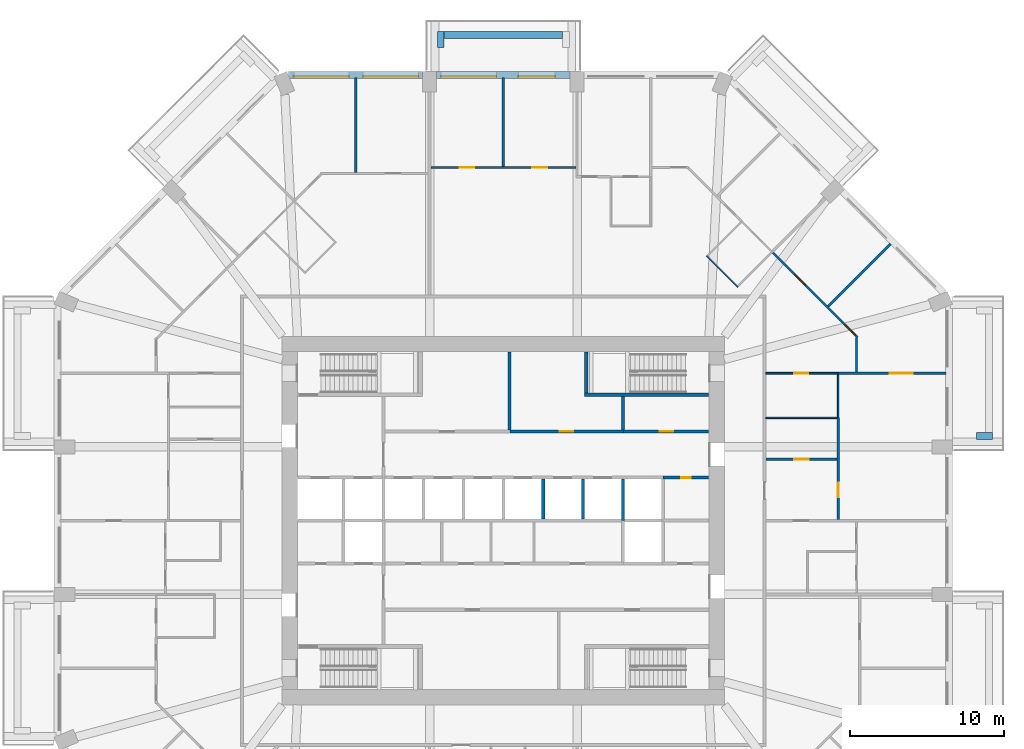
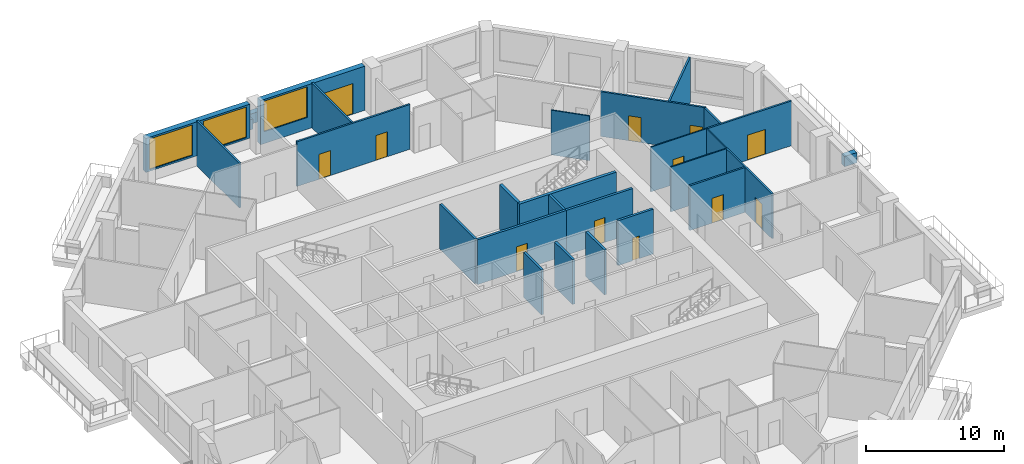
# One storey, part 9 of 13: 28 walls, 12 doors, 3 windows, 15 openings.
"""IFC4 building model written with IfcOpenShell, lengths in metres."""

import ifcopenshell
import ifcopenshell.guid

model = None  # the IFC model being written
_history = None  # IfcOwnerHistory: only IFC2X3 demands one
_inside = {}  # id of a spatial element -> (the spatial element, [elements in it])
_under = {}  # id of a project, library or spatial element -> (it, [spatial elements below it])
_declared = {}  # id of a project -> (the project, [libraries it declares])
_typed = {}  # id of a type object -> (the type object, [elements of that type])
_made_of = {}  # id of a material, layer set ... -> (it, [elements and type objects made of it])


def new_model(schema):
    """Start an empty IFC model of exactly this schema.

    Asked for "IFC4X3", IfcOpenShell would pick the latest addendum, in which some entities
    have other attributes; the version numbers below select the first issue.
    IFC2X3 requires an IfcOwnerHistory on every rooted entity: one is made here for all.
    """
    global model, _history
    if schema == "IFC4X3":
        model = ifcopenshell.file(schema_version=(4, 3, 0, 0))
    else:
        model = ifcopenshell.file(schema=schema)
    _inside.clear()
    _under.clear()
    _declared.clear()
    _typed.clear()
    _made_of.clear()
    _history = None
    if model.schema == "IFC2X3":
        org = make("IfcOrganization", Name="unknown")
        user = make(
            "IfcPersonAndOrganization",
            ThePerson=make("IfcPerson", FamilyName="unknown"),
            TheOrganization=org,
        )
        app = make(
            "IfcApplication",
            ApplicationDeveloper=org,
            Version="unknown",
            ApplicationFullName="unknown",
            ApplicationIdentifier="unknown",
        )
        _history = make(
            "IfcOwnerHistory",
            OwningUser=user,
            OwningApplication=app,
            ChangeAction="ADDED",
            CreationDate=0,
        )
    return model


def make(cls, **values):
    """One entity of the class cls with the attributes given. An attribute that is None is left unset."""
    return model.create_entity(
        cls, **{name: value for name, value in values.items() if value is not None}
    )


def rooted(cls, **values):
    """An entity with a GlobalId (a new one), such as an element, a storey or a relation."""
    return make(cls, GlobalId=ifcopenshell.guid.new(), OwnerHistory=_history, **values)


def si_unit(unit_type, name, prefix=None):
    """IfcSIUnit, for example si_unit("LENGTHUNIT", "METRE", prefix="MILLI")."""
    return make("IfcSIUnit", UnitType=unit_type, Prefix=prefix, Name=name)


def assignment(units):
    """IfcUnitAssignment: the units of a project."""
    return None if units is None else make("IfcUnitAssignment", Units=units)


def point(xyz):
    """IfcCartesianPoint."""
    return None if xyz is None else make("IfcCartesianPoint", Coordinates=xyz)


def direction(xyz):
    """IfcDirection."""
    return None if xyz is None else make("IfcDirection", DirectionRatios=xyz)


def frame(location, z_axis=None, x_axis=None):
    """IfcAxis2Placement3D, a coordinate frame: its origin and axes. An axis left out is left unset."""
    return make(
        "IfcAxis2Placement3D",
        Location=point(location),
        Axis=direction(z_axis),
        RefDirection=direction(x_axis),
    )


def frame_2d(location, x_axis=None):
    """IfcAxis2Placement2D, a coordinate frame in the plane: its origin and x axis."""
    return make(
        "IfcAxis2Placement2D", Location=point(location), RefDirection=direction(x_axis)
    )


def origin():
    """The frame at (0, 0, 0) with its axes left unset."""
    return frame((0.0, 0.0, 0.0))


def place(relative_to, where):
    """IfcLocalPlacement: puts the frame where relative to a parent placement (None: the world)."""
    return make(
        "IfcLocalPlacement", PlacementRelTo=relative_to, RelativePlacement=where
    )


def context(
    kind, dimensions, precision=None, world=None, true_north=None, identifier=None
):
    """IfcGeometricRepresentationContext, for example the 3D "Model" context."""
    return make(
        "IfcGeometricRepresentationContext",
        ContextIdentifier=identifier,
        ContextType=kind,
        CoordinateSpaceDimension=dimensions,
        Precision=precision,
        WorldCoordinateSystem=world,
        TrueNorth=true_north,
    )


def subcontext(parent, identifier, kind, view, scale=None):
    """IfcGeometricRepresentationSubContext, for example "Body" below "Model"."""
    return make(
        "IfcGeometricRepresentationSubContext",
        ContextIdentifier=identifier,
        ContextType=kind,
        ParentContext=parent,
        TargetScale=scale,
        TargetView=view,
    )


def project(units=None, contexts=None):
    """IfcProject with its units and contexts."""
    return rooted(
        "IfcProject",
        Name="project",
        RepresentationContexts=contexts,
        UnitsInContext=assignment(units),
    )


def spatial(cls, under=None, at=None, **own):
    """A site, building, storey or space (cls), placed at a placement, below another one or the project."""
    s = rooted(cls, ObjectPlacement=at, **own)
    if under is not None:
        _under.setdefault(under.id(), (under, []))[1].append(s)
    return s


def profile(cls, at=None, kind="AREA", **sizes):
    """A parametric profile (cls). Its sizes go by their IFC names, for example OverallWidth=200.0."""
    return make(cls, ProfileType=kind, Position=at, **sizes)


def rectangle(**sizes):
    """IfcRectangleProfileDef."""
    return profile("IfcRectangleProfileDef", **sizes)


def extrude(swept, where, along, depth):
    """IfcExtrudedAreaSolid: the profile swept, set in the frame where, extruded along a direction by depth."""
    return make(
        "IfcExtrudedAreaSolid",
        SweptArea=swept,
        Position=where,
        ExtrudedDirection=direction(along),
        Depth=depth,
    )


def shape(context_of_items, identifier, shape_type, items):
    """IfcShapeRepresentation: the items that make up one representation, for example the "Body"."""
    return make(
        "IfcShapeRepresentation",
        ContextOfItems=context_of_items,
        RepresentationIdentifier=identifier,
        RepresentationType=shape_type,
        Items=items,
    )


def material(Name=None, Category=None):
    """IfcMaterial."""
    return make("IfcMaterial", Name=Name, Category=Category)


def layer(
    of_material, thickness, ventilated=None, Name=None, Category=None, Priority=None
):
    """IfcMaterialLayer: one layer of a wall or slab, of a material (None: an air gap)."""
    return make(
        "IfcMaterialLayer",
        Material=of_material,
        LayerThickness=thickness,
        IsVentilated=ventilated,
        Name=Name,
        Category=Category,
        Priority=Priority,
    )


def layer_set(layers, Name=None):
    """IfcMaterialLayerSet."""
    return make("IfcMaterialLayerSet", MaterialLayers=layers, LayerSetName=Name)


def made_of(thing, what):
    """Note that an element or type object is made of a material, layer set ...; save() writes the relation."""
    if what is not None:
        _made_of.setdefault(what.id(), (what, []))[1].append(thing)
    return thing


def type_object(cls, material=None, **own):
    """A type object (cls), such as IfcWallType, which elements share."""
    return made_of(rooted(cls, **own), material)


def element(
    cls,
    number,
    at=None,
    inside=None,
    cuts=None,
    type_object=None,
    material=None,
    context=None,
    identifier="Body",
    shape_type=None,
    held_by="IfcProductDefinitionShape",
    body=None,
    shapes=None,
    **own,
):
    """One element of the class cls, such as IfcWall. Its Tag is "e" and its number.

    at: its placement. inside: the storey or other place that contains it. cuts: it is an
    opening in that element (IfcRelVoidsElement). A single representation is given by context,
    identifier, shape_type and body (its items); several are given by shapes. held_by: the class
    of the entity that holds the representations. save() writes the other relations.
    """
    e = rooted(cls, Tag="e%d" % number, ObjectPlacement=at, **own)
    if body is not None:
        shapes = [shape(context, identifier, shape_type, body)]
    if shapes is not None:
        e.Representation = make(held_by, Representations=shapes)
    if inside is not None:
        _inside.setdefault(inside.id(), (inside, []))[1].append(e)
    if cuts is not None:
        rooted(
            "IfcRelVoidsElement", RelatingBuildingElement=cuts, RelatedOpeningElement=e
        )
    if type_object is not None:
        _typed.setdefault(type_object.id(), (type_object, []))[1].append(e)
    return made_of(e, material)


def fill(opening, filler):
    """IfcRelFillsElement: the door or window that sits in an opening."""
    return rooted(
        "IfcRelFillsElement",
        RelatingOpeningElement=opening,
        RelatedBuildingElement=filler,
    )


def aggregate(whole, parts):
    """IfcRelAggregates: a whole, such as a stair, and the parts it consists of."""
    return rooted("IfcRelAggregates", RelatingObject=whole, RelatedObjects=parts)


def save(model, path):
    """Write the relations noted so far, then the file.

    IfcRelAggregates (storeys below a building ...), IfcRelContainedInSpatialStructure (elements
    in a storey), IfcRelDefinesByType, IfcRelAssociatesMaterial and IfcRelDeclares: one each for
    every whole, place, type object, material and project.
    """
    for whole, parts in _under.values():
        aggregate(whole, parts)
    for where, things in _inside.values():
        rooted(
            "IfcRelContainedInSpatialStructure",
            RelatedElements=things,
            RelatingStructure=where,
        )
    for kind, things in _typed.values():
        rooted("IfcRelDefinesByType", RelatedObjects=things, RelatingType=kind)
    for what, things in _made_of.values():
        rooted("IfcRelAssociatesMaterial", RelatedObjects=things, RelatingMaterial=what)
    for by, libraries in _declared.values():
        rooted("IfcRelDeclares", RelatingContext=by, RelatedDefinitions=libraries)
    model.write(path)


model = new_model("IFC4")

# Units and contexts
model_context = context("Model", 3, precision=1e-05, world=origin(), true_north=direction((0.0, 1.0)))
body_context = subcontext(model_context, "Body", "Model", "MODEL_VIEW")
ifc_project = project(units=[si_unit("LENGTHUNIT", "METRE"), si_unit("AREAUNIT", "SQUARE_METRE"), si_unit("VOLUMEUNIT", "CUBIC_METRE"), si_unit("PLANEANGLEUNIT", "RADIAN"), si_unit("MASSUNIT", "GRAM", prefix="KILO")], contexts=[model_context])

# Site, building, storey
site_placement = place(None, origin())
site = spatial("IfcSite", under=ifc_project, at=site_placement, CompositionType="ELEMENT")
building_placement = place(site_placement, origin())
building = spatial("IfcBuilding", under=site, at=building_placement, Name="Msitu Wima Residences", CompositionType="ELEMENT")
storey_placement = place(building_placement, frame((0.0, 0.0, 63.300048828125)))
storey = spatial("IfcBuildingStorey", under=building, at=storey_placement, Name="L14", CompositionType="ELEMENT", Elevation=63.300048828125)

# Walls
ifc_material_1 = material(Name="Facing brick")
ifc_layer_1 = layer(ifc_material_1, 0.06494140625, Name="Facing brick")
ifc_material_2 = material(Name="Concrete C40/50", Category="concrete")
ifc_layer_2 = layer(ifc_material_2, 0.156005859375, Name="Concrete C40/50")
ifc_material_3 = material(Name="Waterproofing membrane")
ifc_layer_3 = layer(ifc_material_3, 0.00390625, Name="Waterproofing membrane")
ifc_material_4 = material(Name="Planting soil and planting")
ifc_layer_4 = layer(ifc_material_4, 0.22509765625, Name="Planting soil and planting")
ifc_layer_set_1 = layer_set([ifc_layer_1, ifc_layer_2, ifc_layer_3, ifc_layer_4], Name="Concrete C40/50")
wall_type_1 = type_object("IfcWallType", Name="Balcony planter PLANTER PL450", PredefinedType="USERDEFINED", material=ifc_layer_set_1)
wall_1_placement = place(storey_placement, frame((30.800048828125, 5.52490234375, 0.0), z_axis=(0.0, 0.0, 1.0), x_axis=(1.0, 0.0, 0.0)))
element("IfcWall", 1, at=wall_1_placement, inside=storey, type_object=wall_type_1, Name="Balcony planter E2 L14", ObjectType="PLANTER", PredefinedType="USERDEFINED", context=body_context, shape_type="SweptSolid", body=[
    extrude(rectangle(XDim=1.050048828125, YDim=0.449951171875, at=frame_2d((0.52490234375, 0.0))), origin(), (0.0, 0.0, 1.0), 0.89990234375),
])
wall_2_placement = place(storey_placement, frame((3.85009765625, 31.625, 0.0), z_axis=(0.0, 0.0, 1.0), x_axis=(-1.0, 0.0, 0.0)))
element("IfcWall", 2, at=wall_2_placement, inside=storey, type_object=wall_type_1, Name="Balcony planter N1 L14", ObjectType="PLANTER", PredefinedType="USERDEFINED", context=body_context, shape_type="SweptSolid", body=[
    extrude(rectangle(XDim=7.7001953125, YDim=0.449951171875, at=frame_2d((3.85009765625, 0.0))), origin(), (0.0, 0.0, 1.0), 0.89990234375),
])
wall_3_placement = place(storey_placement, frame((-4.074951171875, 30.800048828125, 0.0), z_axis=(0.0, 0.0, 1.0), x_axis=(0.0, 1.0, 0.0)))
element("IfcWall", 3, at=wall_3_placement, inside=storey, type_object=wall_type_1, Name="Balcony planter N1 L14", ObjectType="PLANTER", PredefinedType="USERDEFINED", context=body_context, shape_type="SweptSolid", body=[
    extrude(rectangle(XDim=1.050048828125, YDim=0.449951171875, at=frame_2d((0.52490234375, 0.0))), origin(), (0.0, 0.0, 1.0), 0.89990234375),
])

# Wall, openings, door, window
ifc_material_5 = material(Name="Brick (red buff mix)", Category="masonry")
ifc_layer_5 = layer(ifc_material_5, 0.449951171875)
ifc_layer_set_2 = layer_set([ifc_layer_5], Name="Brick (red buff mix)")
wall_type_2 = type_object("IfcWallType", Name="Brick infill wall BW450", PredefinedType="SOLIDWALL", material=ifc_layer_set_2)
wall_4_placement = place(storey_placement, frame((4.35009765625, 29.02490234375, 0.0), z_axis=(0.0, 0.0, 1.0), x_axis=(-1.0, 0.0, 0.0)))
wall_4 = element("IfcWall", 4, at=wall_4_placement, inside=storey, type_object=wall_type_2, Name="Brick infill wall L14 N1", PredefinedType="SOLIDWALL", context=body_context, shape_type="SweptSolid", body=[
    extrude(rectangle(XDim=8.7001953125, YDim=0.449951171875, at=frame_2d((4.35009765625, 0.0))), origin(), (0.0, 0.0, 1.0), 3.89990234375),
])
opening_1_placement = place(wall_4_placement, frame((0.97509765625, 0.0, 0.0)))
opening_1 = element("IfcOpeningElement", 5, at=opening_1_placement, cuts=wall_4, Name="Opening D13-15.003", PredefinedType="OPENING", context=body_context, shape_type="SweptSolid", body=[
    extrude(rectangle(XDim=2.39990234375, YDim=2.699951171875, at=frame_2d((1.199951171875, 1.35009765625))), frame((0.0, 0.23486328125, 0.0), z_axis=(0.0, -1.0, 0.0), x_axis=(1.0, 0.0, 0.0)), (0.0, 0.0, 1.0), 0.469970703125),
])
opening_2_placement = place(wall_4_placement, frame((4.800048828125, 0.0, 1.050048828125)))
opening_2 = element("IfcOpeningElement", 6, at=opening_2_placement, cuts=wall_4, Name="Opening W13-15.007", PredefinedType="OPENING", context=body_context, shape_type="SweptSolid", body=[
    extrude(rectangle(XDim=3.60009765625, YDim=2.699951171875, at=frame_2d((1.800048828125, 1.35009765625))), frame((0.0, 0.23486328125, 0.0), z_axis=(0.0, -1.0, 0.0), x_axis=(1.0, 0.0, 0.0)), (0.0, 0.0, 1.0), 0.469970703125),
])
ifc_material_6 = material(Name="Anodised aluminium, bronze finish, clear low-emissivity double glazing", Category="aluminium")
door_type_1 = type_object("IfcDoorType", Name="Balcony door D2400x2700", OperationType="SLIDING_TO_LEFT", PredefinedType="DOOR", material=ifc_material_6)
door_1_placement = place(opening_1_placement, origin())
door_1 = element("IfcDoor", 7, at=door_1_placement, inside=storey, type_object=door_type_1, Name="Balcony door L14 N1", OperationType="SINGLE_SWING_LEFT", OverallHeight=2.699951171875, OverallWidth=2.39990234375, PredefinedType="DOOR", context=body_context, shape_type="SweptSolid", body=[
    extrude(rectangle(XDim=2.39990234375, YDim=2.699951171875, at=frame_2d((1.199951171875, 1.35009765625))), frame((0.0, 0.1298828125, 0.0), z_axis=(0.0, -1.0, 0.0), x_axis=(1.0, 0.0, 0.0)), (0.0, 0.0, 1.0), 0.050048828125),
])
fill(opening_1, door_1)
window_type = type_object("IfcWindowType", Name="Window W3600x2700", PartitioningType="DOUBLE_PANEL_VERTICAL", PredefinedType="WINDOW", material=ifc_material_6)
window_1_placement = place(opening_2_placement, origin())
window_1 = element("IfcWindow", 8, at=window_1_placement, inside=storey, type_object=window_type, Name="Window L14 N1.2", OverallHeight=2.699951171875, OverallWidth=3.60009765625, PartitioningType="SINGLE_PANEL", PredefinedType="WINDOW", context=body_context, shape_type="SweptSolid", body=[
    extrude(rectangle(XDim=3.60009765625, YDim=2.699951171875, at=frame_2d((1.800048828125, 1.35009765625))), frame((0.0, 0.135009765625, 0.0), z_axis=(0.0, -1.0, 0.0), x_axis=(1.0, 0.0, 0.0)), (0.0, 0.0, 1.0), 0.06005859375),
])
fill(opening_2, window_1)

# Wall, openings, windows
wall_5_placement = place(storey_placement, frame((-5.25, 29.02490234375, 0.89990234375), z_axis=(0.0, 0.0, 1.0), x_axis=(-1.0, 0.0, 0.0)))
wall_5 = element("IfcWall", 9, at=wall_5_placement, inside=storey, type_object=wall_type_2, Name="Brick infill wall L14 N2", PredefinedType="SOLIDWALL", context=body_context, shape_type="SweptSolid", body=[
    extrude(rectangle(XDim=8.662841796875, YDim=0.449951171875, at=frame_2d((4.33154296875, 0.0))), origin(), (0.0, 0.0, 1.0), 3.0),
])
opening_3_placement = place(wall_5_placement, frame((0.281494140625, 0.0, 0.14990234375)))
opening_3 = element("IfcOpeningElement", 10, at=opening_3_placement, cuts=wall_5, Name="Opening W13-15.008", PredefinedType="OPENING", context=body_context, shape_type="SweptSolid", body=[
    extrude(rectangle(XDim=3.60009765625, YDim=2.699951171875, at=frame_2d((1.800048828125, 1.35009765625))), frame((0.0, 0.23486328125, 0.0), z_axis=(0.0, -1.0, 0.0), x_axis=(1.0, 0.0, 0.0)), (0.0, 0.0, 1.0), 0.469970703125),
])
opening_4_placement = place(wall_5_placement, frame((4.781494140625, 0.0, 0.14990234375)))
opening_4 = element("IfcOpeningElement", 11, at=opening_4_placement, cuts=wall_5, Name="Opening W13-15.009", PredefinedType="OPENING", context=body_context, shape_type="SweptSolid", body=[
    extrude(rectangle(XDim=3.60009765625, YDim=2.699951171875, at=frame_2d((1.800048828125, 1.35009765625))), frame((0.0, 0.23486328125, 0.0), z_axis=(0.0, -1.0, 0.0), x_axis=(1.0, 0.0, 0.0)), (0.0, 0.0, 1.0), 0.469970703125),
])
window_2_placement = place(opening_3_placement, origin())
window_2 = element("IfcWindow", 12, at=window_2_placement, inside=storey, type_object=window_type, Name="Window L14 N2.1", OverallHeight=2.699951171875, OverallWidth=3.60009765625, PartitioningType="SINGLE_PANEL", PredefinedType="WINDOW", context=body_context, shape_type="SweptSolid", body=[
    extrude(rectangle(XDim=3.60009765625, YDim=2.699951171875, at=frame_2d((1.800048828125, 1.35009765625))), frame((0.0, 0.135009765625, 0.0), z_axis=(0.0, -1.0, 0.0), x_axis=(1.0, 0.0, 0.0)), (0.0, 0.0, 1.0), 0.06005859375),
])
fill(opening_3, window_2)
window_3_placement = place(opening_4_placement, origin())
window_3 = element("IfcWindow", 13, at=window_3_placement, inside=storey, type_object=window_type, Name="Window L14 N2.2", OverallHeight=2.699951171875, OverallWidth=3.60009765625, PartitioningType="SINGLE_PANEL", PredefinedType="WINDOW", context=body_context, shape_type="SweptSolid", body=[
    extrude(rectangle(XDim=3.60009765625, YDim=2.699951171875, at=frame_2d((1.800048828125, 1.35009765625))), frame((0.0, 0.135009765625, 0.0), z_axis=(0.0, -1.0, 0.0), x_axis=(1.0, 0.0, 0.0)), (0.0, 0.0, 1.0), 0.06005859375),
])
fill(opening_4, window_3)

# Wall, opening, door
ifc_material_7 = material(Name="Plaster")
ifc_layer_6 = layer(ifc_material_7, 0.011962890625, Name="Plaster")
ifc_material_8 = material(Name="Concrete blockwork", Category="masonry")
ifc_layer_7 = layer(ifc_material_8, 0.176025390625, Name="Concrete blockwork")
ifc_layer_8 = layer(ifc_material_7, 0.011962890625, Name="Plaster")
ifc_layer_set_3 = layer_set([ifc_layer_6, ifc_layer_7, ifc_layer_8], Name="Concrete blockwork")
wall_type_3 = type_object("IfcWallType", Name="Corridor wall FW200", PredefinedType="PARTITIONING", material=ifc_layer_set_3)
wall_6_placement = place(storey_placement, frame((7.820068359375, 5.800048828125, 0.0), z_axis=(0.0, 0.0, 1.0), x_axis=(1.0, 0.0, 0.0)))
wall_6 = element("IfcWall", 14, at=wall_6_placement, inside=storey, type_object=wall_type_3, Name="Corridor wall", PredefinedType="PARTITIONING", context=body_context, shape_type="SweptSolid", body=[
    extrude(rectangle(XDim=5.550048828125, YDim=0.199951171875, at=frame_2d((2.77490234375, 0.0))), origin(), (0.0, 0.0, 1.0), 3.949951171875),
])
opening_5_placement = place(wall_6_placement, frame((2.35009765625, 0.0, 0.0)))
opening_5 = element("IfcOpeningElement", 15, at=opening_5_placement, cuts=wall_6, Name="Opening D13-15.021", PredefinedType="OPENING", context=body_context, shape_type="SweptSolid", body=[
    extrude(rectangle(XDim=0.89990234375, YDim=2.199951171875, at=frame_2d((0.449951171875, 1.10009765625))), frame((0.0, 0.10986328125, 0.0), z_axis=(0.0, -1.0, 0.0), x_axis=(1.0, 0.0, 0.0)), (0.0, 0.0, 1.0), 0.219970703125),
])
ifc_material_9 = material(Name="Timber flush door", Category="wood")
door_type_2 = type_object("IfcDoorType", Name="Service door D05 900x2200", OperationType="SINGLE_SWING_LEFT", PredefinedType="DOOR", material=ifc_material_9)
door_2_placement = place(opening_5_placement, origin())
door_2 = element("IfcDoor", 16, at=door_2_placement, inside=storey, type_object=door_type_2, Name="Service door", OperationType="SINGLE_SWING_LEFT", OverallHeight=2.199951171875, OverallWidth=0.89990234375, PredefinedType="DOOR", context=body_context, shape_type="SweptSolid", body=[
    extrude(rectangle(XDim=0.89990234375, YDim=2.199951171875, at=frame_2d((0.449951171875, 1.10009765625))), frame((0.0, 0.02490234375, 0.0), z_axis=(0.0, -1.0, 0.0), x_axis=(1.0, 0.0, 0.0)), (0.0, 0.0, 1.0), 0.050048828125),
])
fill(opening_5, door_2)

# Wall
ifc_layer_9 = layer(ifc_material_7, 0.011962890625, Name="Plaster")
ifc_layer_10 = layer(ifc_material_8, 0.1259765625, Name="Concrete blockwork")
ifc_layer_11 = layer(ifc_material_7, 0.011962890625, Name="Plaster")
ifc_layer_set_4 = layer_set([ifc_layer_9, ifc_layer_10, ifc_layer_11], Name="Concrete blockwork")
wall_type_4 = type_object("IfcWallType", Name="Partition PW150", PredefinedType="PARTITIONING", material=ifc_layer_set_4)
wall_7_placement = place(storey_placement, frame((-9.60009765625, 22.675048828125, 0.0), z_axis=(0.0, 0.0, 1.0), x_axis=(0.0, 1.0, 0.0)))
element("IfcWall", 17, at=wall_7_placement, inside=storey, type_object=wall_type_4, Name="Partition", PredefinedType="PARTITIONING", context=body_context, shape_type="SweptSolid", body=[
    extrude(rectangle(XDim=6.179931640625, YDim=0.14990234375, at=frame_2d((3.08984375, 0.0))), origin(), (0.0, 0.0, 1.0), 3.949951171875),
])

# Wall, openings, doors
wall_8_placement = place(storey_placement, frame((-4.699951171875, 23.0, 0.0), z_axis=(0.0, 0.0, 1.0), x_axis=(1.0, 0.0, 0.0)))
wall_8 = element("IfcWall", 18, at=wall_8_placement, inside=storey, type_object=wall_type_4, Name="Partition", PredefinedType="PARTITIONING", context=body_context, shape_type="SweptSolid", body=[
    extrude(rectangle(XDim=9.425048828125, YDim=0.14990234375, at=frame_2d((4.71240234375, 0.0))), origin(), (0.0, 0.0, 1.0), 3.949951171875),
])
opening_6_placement = place(wall_8_placement, frame((6.60009765625, 0.0, 0.0)))
opening_6 = element("IfcOpeningElement", 19, at=opening_6_placement, cuts=wall_8, Name="Opening D13-15.088", PredefinedType="OPENING", context=body_context, shape_type="SweptSolid", body=[
    extrude(rectangle(XDim=0.949951171875, YDim=2.199951171875, at=frame_2d((0.47509765625, 1.10009765625))), frame((0.0, 0.0849609375, 0.0), z_axis=(0.0, -1.0, 0.0), x_axis=(1.0, 0.0, 0.0)), (0.0, 0.0, 1.0), 0.169921875),
])
opening_7_placement = place(wall_8_placement, frame((1.85009765625, 0.0, 0.0)))
opening_7 = element("IfcOpeningElement", 20, at=opening_7_placement, cuts=wall_8, Name="Opening D13-15.044", PredefinedType="OPENING", context=body_context, shape_type="SweptSolid", body=[
    extrude(rectangle(XDim=0.949951171875, YDim=2.199951171875, at=frame_2d((0.47509765625, 1.10009765625))), frame((0.0, 0.0849609375, 0.0), z_axis=(0.0, -1.0, 0.0), x_axis=(1.0, 0.0, 0.0)), (0.0, 0.0, 1.0), 0.169921875),
])
door_type_3 = type_object("IfcDoorType", Name="Room door D12 950x2200", OperationType="SINGLE_SWING_LEFT", PredefinedType="DOOR", material=ifc_material_9)
door_3_placement = place(opening_6_placement, origin())
door_3 = element("IfcDoor", 21, at=door_3_placement, inside=storey, type_object=door_type_3, Name="Room door", OperationType="SINGLE_SWING_LEFT", OverallHeight=2.199951171875, OverallWidth=0.949951171875, PredefinedType="DOOR", context=body_context, shape_type="SweptSolid", body=[
    extrude(rectangle(XDim=0.949951171875, YDim=2.199951171875, at=frame_2d((0.47509765625, 1.10009765625))), frame((0.0, 0.02490234375, 0.0), z_axis=(0.0, -1.0, 0.0), x_axis=(1.0, 0.0, 0.0)), (0.0, 0.0, 1.0), 0.050048828125),
])
fill(opening_6, door_3)
door_4_placement = place(opening_7_placement, origin())
door_4 = element("IfcDoor", 22, at=door_4_placement, inside=storey, type_object=door_type_3, Name="Room door", OperationType="SINGLE_SWING_RIGHT", OverallHeight=2.199951171875, OverallWidth=0.949951171875, PredefinedType="DOOR", context=body_context, shape_type="SweptSolid", body=[
    extrude(rectangle(XDim=0.949951171875, YDim=2.199951171875, at=frame_2d((0.47509765625, 1.10009765625))), frame((0.0, 0.02490234375, 0.0), z_axis=(0.0, -1.0, 0.0), x_axis=(1.0, 0.0, 0.0)), (0.0, 0.0, 1.0), 0.050048828125),
])
fill(opening_7, door_4)

# Wall
wall_9_placement = place(storey_placement, frame((0.0, 23.074951171875, 0.0), z_axis=(0.0, 0.0, 1.0), x_axis=(0.0, 1.0, 0.0)))
element("IfcWall", 23, at=wall_9_placement, inside=storey, type_object=wall_type_4, Name="Partition", PredefinedType="PARTITIONING", context=body_context, shape_type="SweptSolid", body=[
    extrude(rectangle(XDim=5.780029296875, YDim=0.14990234375, at=frame_2d((2.89013671875, 0.0))), origin(), (0.0, 0.0, 1.0), 3.949951171875),
])

# Wall, opening, door
wall_10_placement = place(storey_placement, frame((17.10009765625, 4.0, 0.0), z_axis=(0.0, 0.0, 1.0), x_axis=(1.0, 0.0, 0.0)))
wall_10 = element("IfcWall", 24, at=wall_10_placement, inside=storey, type_object=wall_type_4, Name="Partition", PredefinedType="PARTITIONING", context=body_context, shape_type="SweptSolid", body=[
    extrude(rectangle(XDim=4.625, YDim=0.14990234375, at=frame_2d((2.3125, 0.0))), origin(), (0.0, 0.0, 1.0), 3.949951171875),
])
opening_8_placement = place(wall_10_placement, frame((1.85009765625, 0.0, 0.0)))
opening_8 = element("IfcOpeningElement", 25, at=opening_8_placement, cuts=wall_10, Name="Opening D13-15.085", PredefinedType="OPENING", context=body_context, shape_type="SweptSolid", body=[
    extrude(rectangle(XDim=0.949951171875, YDim=2.199951171875, at=frame_2d((0.47509765625, 1.10009765625))), frame((0.0, 0.0849609375, 0.0), z_axis=(0.0, -1.0, 0.0), x_axis=(1.0, 0.0, 0.0)), (0.0, 0.0, 1.0), 0.169921875),
])
door_5_placement = place(opening_8_placement, origin())
door_5 = element("IfcDoor", 26, at=door_5_placement, inside=storey, type_object=door_type_3, Name="Room door", OperationType="SINGLE_SWING_RIGHT", OverallHeight=2.199951171875, OverallWidth=0.949951171875, PredefinedType="DOOR", context=body_context, shape_type="SweptSolid", body=[
    extrude(rectangle(XDim=0.949951171875, YDim=2.199951171875, at=frame_2d((0.47509765625, 1.10009765625))), frame((0.0, 0.02490234375, 0.0), z_axis=(0.0, -1.0, 0.0), x_axis=(1.0, 0.0, 0.0)), (0.0, 0.0, 1.0), 0.050048828125),
])
fill(opening_8, door_5)

# Wall, openings, doors
wall_11_placement = place(storey_placement, frame((17.498779296875, 17.498779296875, 0.0), z_axis=(0.0, 0.0, 1.0), x_axis=(0.707106781187, -0.707106781187, 0.0)))
wall_11 = element("IfcWall", 27, at=wall_11_placement, inside=storey, type_object=wall_type_4, Name="Partition", PredefinedType="PARTITIONING", context=body_context, shape_type="SweptSolid", body=[
    extrude(rectangle(XDim=7.854736328125, YDim=0.14990234375, at=frame_2d((3.92724609375, 0.0))), origin(), (0.0, 0.0, 1.0), 3.949951171875),
])
opening_9_placement = place(wall_11_placement, frame((6.699951171875, 0.0, 0.0)))
opening_9 = element("IfcOpeningElement", 28, at=opening_9_placement, cuts=wall_11, Name="Opening D13-15.086", PredefinedType="OPENING", context=body_context, shape_type="SweptSolid", body=[
    extrude(rectangle(XDim=0.949951171875, YDim=2.199951171875, at=frame_2d((0.47509765625, 1.10009765625))), frame((0.0, 0.0849609375, 0.0), z_axis=(0.0, -1.0, 0.0), x_axis=(1.0, 0.0, 0.0)), (0.0, 0.0, 1.0), 0.169921875),
])
opening_10_placement = place(wall_11_placement, frame((2.10009765625, 0.0, 0.0)))
opening_10 = element("IfcOpeningElement", 29, at=opening_10_placement, cuts=wall_11, Name="Opening D13-15.087", PredefinedType="OPENING", context=body_context, shape_type="SweptSolid", body=[
    extrude(rectangle(XDim=0.949951171875, YDim=2.199951171875, at=frame_2d((0.47509765625, 1.10009765625))), frame((0.0, 0.0849609375, 0.0), z_axis=(0.0, -1.0, 0.0), x_axis=(1.0, 0.0, 0.0)), (0.0, 0.0, 1.0), 0.169921875),
])
door_6_placement = place(opening_9_placement, origin())
door_6 = element("IfcDoor", 30, at=door_6_placement, inside=storey, type_object=door_type_3, Name="Room door", OperationType="SINGLE_SWING_LEFT", OverallHeight=2.199951171875, OverallWidth=0.949951171875, PredefinedType="DOOR", context=body_context, shape_type="SweptSolid", body=[
    extrude(rectangle(XDim=0.949951171875, YDim=2.199951171875, at=frame_2d((0.47509765625, 1.10009765625))), frame((0.0, 0.02490234375, 0.0), z_axis=(0.0, -1.0, 0.0), x_axis=(1.0, 0.0, 0.0)), (0.0, 0.0, 1.0), 0.050048828125),
])
fill(opening_9, door_6)
door_7_placement = place(opening_10_placement, origin())
door_7 = element("IfcDoor", 31, at=door_7_placement, inside=storey, type_object=door_type_3, Name="Room door", OperationType="SINGLE_SWING_RIGHT", OverallHeight=2.199951171875, OverallWidth=0.949951171875, PredefinedType="DOOR", context=body_context, shape_type="SweptSolid", body=[
    extrude(rectangle(XDim=0.949951171875, YDim=2.199951171875, at=frame_2d((0.47509765625, 1.10009765625))), frame((0.0, 0.02490234375, 0.0), z_axis=(0.0, -1.0, 0.0), x_axis=(1.0, 0.0, 0.0)), (0.0, 0.0, 1.0), 0.050048828125),
])
fill(opening_10, door_7)

# Wall
wall_12_placement = place(storey_placement, frame((21.15185546875, 13.951904296875, 0.0), z_axis=(0.0, 0.0, 1.0), x_axis=(0.707128010843, 0.707085550893, 0.0)))
element("IfcWall", 32, at=wall_12_placement, inside=storey, type_object=wall_type_4, Name="Partition", PredefinedType="PARTITIONING", context=body_context, shape_type="SweptSolid", body=[
    extrude(rectangle(XDim=5.75, YDim=0.14990234375, at=frame_2d((2.875, 0.0))), origin(), (0.0, 0.0, 1.0), 3.949951171875),
])

# Wall, opening, door
wall_13_placement = place(storey_placement, frame((21.800048828125, 0.074951171875, 0.0), z_axis=(0.0, 0.0, 1.0), x_axis=(0.0, 1.0, 0.0)))
wall_13 = element("IfcWall", 33, at=wall_13_placement, inside=storey, type_object=wall_type_4, Name="Partition", PredefinedType="PARTITIONING", context=body_context, shape_type="SweptSolid", body=[
    extrude(rectangle(XDim=6.64501953125, YDim=0.14990234375, at=frame_2d((3.322509765625, 0.0))), origin(), (0.0, 0.0, 1.0), 3.949951171875),
])
opening_11_placement = place(wall_13_placement, frame((1.449951171875, 0.0, 0.0)))
opening_11 = element("IfcOpeningElement", 34, at=opening_11_placement, cuts=wall_13, Name="Opening D13-15.049", PredefinedType="OPENING", context=body_context, shape_type="SweptSolid", body=[
    extrude(rectangle(XDim=0.949951171875, YDim=2.199951171875, at=frame_2d((0.47509765625, 1.10009765625))), frame((0.0, 0.0849609375, 0.0), z_axis=(0.0, -1.0, 0.0), x_axis=(1.0, 0.0, 0.0)), (0.0, 0.0, 1.0), 0.169921875),
])
door_8_placement = place(opening_11_placement, origin())
door_8 = element("IfcDoor", 35, at=door_8_placement, inside=storey, type_object=door_type_3, Name="Room door", OperationType="SINGLE_SWING_RIGHT", OverallHeight=2.199951171875, OverallWidth=0.949951171875, PredefinedType="DOOR", context=body_context, shape_type="SweptSolid", body=[
    extrude(rectangle(XDim=0.949951171875, YDim=2.199951171875, at=frame_2d((0.47509765625, 1.10009765625))), frame((0.0, 0.02490234375, 0.0), z_axis=(0.0, -1.0, 0.0), x_axis=(1.0, 0.0, 0.0)), (0.0, 0.0, 1.0), 0.050048828125),
])
fill(opening_11, door_8)

wall_14_placement = place(storey_placement, frame((21.800048828125, 9.60009765625, 0.0), z_axis=(0.0, 0.0, 1.0), x_axis=(1.0, 0.0, 0.0)))
wall_14 = element("IfcWall", 36, at=wall_14_placement, inside=storey, type_object=wall_type_4, Name="Partition", PredefinedType="PARTITIONING", context=body_context, shape_type="SweptSolid", body=[
    extrude(rectangle(XDim=7.02490234375, YDim=0.14990234375, at=frame_2d((3.512451171875, 0.0))), origin(), (0.0, 0.0, 1.0), 3.949951171875),
])
opening_12_placement = place(wall_14_placement, frame((3.35009765625, 0.0, 0.0)))
opening_12 = element("IfcOpeningElement", 37, at=opening_12_placement, cuts=wall_14, Name="Opening D13-15.060", PredefinedType="OPENING", context=body_context, shape_type="SweptSolid", body=[
    extrude(rectangle(XDim=1.5, YDim=2.199951171875, at=frame_2d((0.75, 1.10009765625))), frame((0.0, 0.0849609375, 0.0), z_axis=(0.0, -1.0, 0.0), x_axis=(1.0, 0.0, 0.0)), (0.0, 0.0, 1.0), 0.169921875),
])
ifc_material_10 = material(Name="Timber double door", Category="wood")
door_type_4 = type_object("IfcDoorType", Name="Double door D04 1500x2200", OperationType="DOUBLE_DOOR_SINGLE_SWING", PredefinedType="DOOR", material=ifc_material_10)
door_9_placement = place(opening_12_placement, origin())
door_9 = element("IfcDoor", 38, at=door_9_placement, inside=storey, type_object=door_type_4, Name="Double door", OperationType="DOUBLE_DOOR_SINGLE_SWING", OverallHeight=2.199951171875, OverallWidth=1.5, PredefinedType="DOOR", context=body_context, shape_type="SweptSolid", body=[
    extrude(rectangle(XDim=1.5, YDim=2.199951171875, at=frame_2d((0.75, 1.10009765625))), frame((0.0, 0.02490234375, 0.0), z_axis=(0.0, -1.0, 0.0), x_axis=(1.0, 0.0, 0.0)), (0.0, 0.0, 1.0), 0.050048828125),
])
fill(opening_12, door_9)

# Wall
wall_15_placement = place(storey_placement, frame((23.0, 9.675048828125, 0.0), z_axis=(0.0, 0.0, 1.0), x_axis=(0.0, 1.0, 0.0)))
element("IfcWall", 39, at=wall_15_placement, inside=storey, type_object=wall_type_4, Name="Partition", PredefinedType="PARTITIONING", context=body_context, shape_type="SweptSolid", body=[
    extrude(rectangle(XDim=2.24755859375, YDim=0.14990234375, at=frame_2d((1.123779296875, 0.0))), origin(), (0.0, 0.0, 1.0), 3.949951171875),
])

# Wall, opening, door
ifc_layer_12 = layer(ifc_material_7, 0.011962890625, Name="Plaster")
ifc_material_11 = material(Name="Reinforced concrete blockwork", Category="masonry")
ifc_layer_13 = layer(ifc_material_11, 0.176025390625, Name="Reinforced concrete blockwork")
ifc_layer_14 = layer(ifc_material_7, 0.011962890625, Name="Plaster")
ifc_layer_set_5 = layer_set([ifc_layer_12, ifc_layer_13, ifc_layer_14], Name="Reinforced concrete blockwork")
wall_type_5 = type_object("IfcWallType", Name="Plant and riser wall PL200", PredefinedType="PARTITIONING", material=ifc_layer_set_5)
wall_16_placement = place(storey_placement, frame((0.419921875, 5.800048828125, 0.0), z_axis=(0.0, 0.0, 1.0), x_axis=(1.0, 0.0, 0.0)))
wall_16 = element("IfcWall", 40, at=wall_16_placement, inside=storey, type_object=wall_type_5, Name="Plant and riser wall", PredefinedType="PARTITIONING", context=body_context, shape_type="SweptSolid", body=[
    extrude(rectangle(XDim=7.400146484375, YDim=0.199951171875, at=frame_2d((3.7001953125, 0.0))), origin(), (0.0, 0.0, 1.0), 3.949951171875),
])
opening_13_placement = place(wall_16_placement, frame((3.25, 0.0, 0.0)))
opening_13 = element("IfcOpeningElement", 41, at=opening_13_placement, cuts=wall_16, Name="Opening D13-15.020", PredefinedType="OPENING", context=body_context, shape_type="SweptSolid", body=[
    extrude(rectangle(XDim=0.89990234375, YDim=2.199951171875, at=frame_2d((0.449951171875, 1.10009765625))), frame((0.0, 0.10986328125, 0.0), z_axis=(0.0, -1.0, 0.0), x_axis=(1.0, 0.0, 0.0)), (0.0, 0.0, 1.0), 0.219970703125),
])
door_10_placement = place(opening_13_placement, origin())
door_10 = element("IfcDoor", 42, at=door_10_placement, inside=storey, type_object=door_type_2, Name="Service door", OperationType="SINGLE_SWING_RIGHT", OverallHeight=2.199951171875, OverallWidth=0.89990234375, PredefinedType="DOOR", context=body_context, shape_type="SweptSolid", body=[
    extrude(rectangle(XDim=0.89990234375, YDim=2.199951171875, at=frame_2d((0.449951171875, 1.10009765625))), frame((0.0, 0.02490234375, 0.0), z_axis=(0.0, -1.0, 0.0), x_axis=(1.0, 0.0, 0.0)), (0.0, 0.0, 1.0), 0.050048828125),
])
fill(opening_13, door_10)

# Walls
wall_17_placement = place(storey_placement, frame((0.39990234375, 5.89990234375, 0.0), z_axis=(0.0, 0.0, 1.0), x_axis=(0.0, 1.0, 0.0)))
element("IfcWall", 43, at=wall_17_placement, inside=storey, type_object=wall_type_5, Name="Plant and riser wall", PredefinedType="PARTITIONING", context=body_context, shape_type="SweptSolid", body=[
    extrude(rectangle(XDim=5.070068359375, YDim=0.199951171875, at=frame_2d((2.53515625, 0.0))), origin(), (0.0, 0.0, 1.0), 3.949951171875),
])
wall_18_placement = place(storey_placement, frame((7.800048828125, 5.89990234375, 0.0), z_axis=(0.0, 0.0, 1.0), x_axis=(0.0, 1.0, 0.0)))
element("IfcWall", 44, at=wall_18_placement, inside=storey, type_object=wall_type_5, Name="Plant and riser wall", PredefinedType="PARTITIONING", context=body_context, shape_type="SweptSolid", body=[
    extrude(rectangle(XDim=2.175048828125, YDim=0.199951171875, at=frame_2d((1.08740234375, 0.0))), origin(), (0.0, 0.0, 1.0), 3.949951171875),
])

# Wall, opening, door
wall_19_placement = place(storey_placement, frame((10.39990234375, 2.800048828125, 0.0), z_axis=(0.0, 0.0, 1.0), x_axis=(1.0, 0.0, 0.0)))
wall_19 = element("IfcWall", 45, at=wall_19_placement, inside=storey, type_object=wall_type_5, Name="Plant and riser wall", PredefinedType="PARTITIONING", context=body_context, shape_type="SweptSolid", body=[
    extrude(rectangle(XDim=2.97021484375, YDim=0.199951171875, at=frame_2d((1.485107421875, 0.0))), origin(), (0.0, 0.0, 1.0), 3.949951171875),
])
opening_14_placement = place(wall_19_placement, frame((1.199951171875, 0.0, 0.0)))
opening_14 = element("IfcOpeningElement", 46, at=opening_14_placement, cuts=wall_19, Name="Opening D13-15.026", PredefinedType="OPENING", context=body_context, shape_type="SweptSolid", body=[
    extrude(rectangle(XDim=0.60009765625, YDim=2.0, at=frame_2d((0.300048828125, 1.0))), frame((0.0, 0.10986328125, 0.0), z_axis=(0.0, -1.0, 0.0), x_axis=(1.0, 0.0, 0.0)), (0.0, 0.0, 1.0), 0.219970703125),
])
ifc_material_12 = material(Name="Steel access door, fire resisting", Category="steel")
door_type_5 = type_object("IfcDoorType", Name="Riser access door D08 600x2000", OperationType="SINGLE_SWING_LEFT", PredefinedType="DOOR", material=ifc_material_12)
door_11_placement = place(opening_14_placement, origin())
door_11 = element("IfcDoor", 47, at=door_11_placement, inside=storey, type_object=door_type_5, Name="Riser access door", OperationType="SINGLE_SWING_RIGHT", OverallHeight=2.0, OverallWidth=0.60009765625, PredefinedType="DOOR", context=body_context, shape_type="SweptSolid", body=[
    extrude(rectangle(XDim=0.60009765625, YDim=2.0, at=frame_2d((0.300048828125, 1.0))), frame((0.0, 0.02490234375, 0.0), z_axis=(0.0, -1.0, 0.0), x_axis=(1.0, 0.0, 0.0)), (0.0, 0.0, 1.0), 0.050048828125),
])
fill(opening_14, door_11)

# Walls
ifc_material_13 = material(Name="Fire-rated board")
ifc_layer_15 = layer(ifc_material_13, 0.02490234375, Name="Fire-rated board")
ifc_material_14 = material(Name="Light-gauge stud framing with mineral wool")
ifc_layer_16 = layer(ifc_material_14, 0.14990234375, Name="Light-gauge stud framing with mineral wool")
ifc_layer_17 = layer(ifc_material_13, 0.02490234375, Name="Fire-rated board")
ifc_layer_set_6 = layer_set([ifc_layer_15, ifc_layer_16, ifc_layer_17], Name="Light-gauge stud framing with mineral wool")
wall_type_6 = type_object("IfcWallType", Name="Shaft wall SH200", PredefinedType="PARTITIONING", material=ifc_layer_set_6)
for number, where, z_axis, x_axis, name in (
    (48, (2.60009765625, 0.10009765625, 0.0), (0.0, 0.0, 1.0), (0.0, 1.0, 0.0), "Shaft wall"),
    (49, (5.199951171875, 0.10009765625, 0.0), (0.0, 0.0, 1.0), (0.0, 1.0, 0.0), "Shaft wall"),
):
    element("IfcWall", number, at=place(storey_placement, frame(where, z_axis=z_axis, x_axis=x_axis)), inside=storey, type_object=wall_type_6, Name=name, PredefinedType="PARTITIONING", context=body_context, shape_type="SweptSolid", body=[
        extrude(rectangle(XDim=2.599853515625, YDim=0.199951171875, at=frame_2d((1.2998046875, 0.0))), origin(), (0.0, 0.0, 1.0), 3.949951171875),
    ])
wall_20_placement = place(storey_placement, frame((7.800048828125, 0.0, 0.0), z_axis=(0.0, 0.0, 1.0), x_axis=(0.0, 1.0, 0.0)))
element("IfcWall", 50, at=wall_20_placement, inside=storey, type_object=wall_type_6, Name="Shaft wall", PredefinedType="PARTITIONING", context=body_context, shape_type="SweptSolid", body=[
    extrude(rectangle(XDim=2.699951171875, YDim=0.199951171875, at=frame_2d((1.35009765625, 0.0))), origin(), (0.0, 0.0, 1.0), 3.949951171875),
])
ifc_material_15 = material(Name="Concrete C50/60", Category="concrete")
ifc_layer_18 = layer(ifc_material_15, 0.25)
ifc_layer_set_7 = layer_set([ifc_layer_18], Name="Concrete C50/60")
wall_type_7 = type_object("IfcWallType", Name="Stair enclosure wall SW250", PredefinedType="SHEAR", material=ifc_layer_set_7)
wall_21_placement = place(storey_placement, frame((5.39990234375, 8.324951171875, 0.0), z_axis=(0.0, 0.0, 1.0), x_axis=(0.0, 1.0, 0.0)))
element("IfcWall", 51, at=wall_21_placement, inside=storey, type_object=wall_type_7, Name="Stair enclosure wall", PredefinedType="SHEAR", context=body_context, shape_type="SweptSolid", body=[
    extrude(rectangle(XDim=2.64501953125, YDim=0.25, at=frame_2d((1.322509765625, 0.0))), origin(), (0.0, 0.0, 1.0), 3.949951171875),
])
wall_22_placement = place(storey_placement, frame((5.27490234375, 8.199951171875, 0.0), z_axis=(0.0, 0.0, 1.0), x_axis=(1.0, 0.0, 0.0)))
element("IfcWall", 52, at=wall_22_placement, inside=storey, type_object=wall_type_7, Name="Stair enclosure wall", PredefinedType="SHEAR", context=body_context, shape_type="SweptSolid", body=[
    extrude(rectangle(XDim=8.09521484375, YDim=0.25, at=frame_2d((4.047607421875, 0.0))), origin(), (0.0, 0.0, 1.0), 3.949951171875),
])
ifc_material_16 = material(Name="Ceramic tiles")
ifc_layer_19 = layer(ifc_material_16, 0.008056640625, Name="Ceramic tiles")
ifc_material_17 = material(Name="Moisture-resistant board")
ifc_layer_20 = layer(ifc_material_17, 0.012451171875, Name="Moisture-resistant board")
ifc_layer_21 = layer(ifc_material_14, 0.06689453125, Name="Light-gauge stud framing with mineral wool")
ifc_layer_22 = layer(ifc_material_17, 0.012451171875, Name="Moisture-resistant board")
ifc_layer_set_8 = layer_set([ifc_layer_19, ifc_layer_20, ifc_layer_21, ifc_layer_22], Name="Light-gauge stud framing with mineral wool")
wall_type_8 = type_object("IfcWallType", Name="Wet wall PW100", PredefinedType="PARTITIONING", material=ifc_layer_set_8)
wall_23_placement = place(storey_placement, frame((13.220703125, 17.251220703125, 0.0), z_axis=(0.0, 0.0, 1.0), x_axis=(0.707148872128, -0.707064687739, 0.0)))
element("IfcWall", 53, at=wall_23_placement, inside=storey, type_object=wall_type_8, Name="Wet wall", PredefinedType="PARTITIONING", context=body_context, shape_type="SweptSolid", body=[
    extrude(rectangle(XDim=2.900146484375, YDim=0.10009765625, at=frame_2d((1.4501953125, 0.0))), origin(), (0.0, 0.0, 1.0), 3.949951171875),
])
wall_24_placement = place(storey_placement, frame((17.10009765625, 6.699951171875, 0.0), z_axis=(0.0, 0.0, 1.0), x_axis=(1.0, 0.0, 0.0)))
element("IfcWall", 54, at=wall_24_placement, inside=storey, type_object=wall_type_8, Name="Wet wall", PredefinedType="PARTITIONING", context=body_context, shape_type="SweptSolid", body=[
    extrude(rectangle(XDim=4.625, YDim=0.10009765625, at=frame_2d((2.3125, 0.0))), origin(), (0.0, 0.0, 1.0), 3.949951171875),
])

# Wall, opening, door
wall_25_placement = place(storey_placement, frame((17.10009765625, 9.60009765625, 0.0), z_axis=(0.0, 0.0, 1.0), x_axis=(1.0, 0.0, 0.0)))
wall_25 = element("IfcWall", 55, at=wall_25_placement, inside=storey, type_object=wall_type_8, Name="Wet wall", PredefinedType="PARTITIONING", context=body_context, shape_type="SweptSolid", body=[
    extrude(rectangle(XDim=4.699951171875, YDim=0.10009765625, at=frame_2d((2.35009765625, 0.0))), origin(), (0.0, 0.0, 1.0), 3.949951171875),
])
opening_15_placement = place(wall_25_placement, frame((1.85009765625, 0.0, 0.0)))
opening_15 = element("IfcOpeningElement", 56, at=opening_15_placement, cuts=wall_25, Name="Opening D13-15.043", PredefinedType="OPENING", context=body_context, shape_type="SweptSolid", body=[
    extrude(rectangle(XDim=0.89990234375, YDim=2.199951171875, at=frame_2d((0.449951171875, 1.10009765625))), frame((0.0, 0.06005859375, 0.0), z_axis=(0.0, -1.0, 0.0), x_axis=(1.0, 0.0, 0.0)), (0.0, 0.0, 1.0), 0.1201171875),
])
ifc_material_18 = material(Name="Timber flush door, moisture resistant", Category="wood")
door_type_6 = type_object("IfcDoorType", Name="Bathroom door D03 900x2200", OperationType="SINGLE_SWING_LEFT", PredefinedType="DOOR", material=ifc_material_18)
door_12_placement = place(opening_15_placement, origin())
door_12 = element("IfcDoor", 57, at=door_12_placement, inside=storey, type_object=door_type_6, Name="Bathroom door", OperationType="SINGLE_SWING_RIGHT", OverallHeight=2.199951171875, OverallWidth=0.89990234375, PredefinedType="DOOR", context=body_context, shape_type="SweptSolid", body=[
    extrude(rectangle(XDim=0.89990234375, YDim=2.199951171875, at=frame_2d((0.449951171875, 1.10009765625))), frame((0.0, 0.02490234375, 0.0), z_axis=(0.0, -1.0, 0.0), x_axis=(1.0, 0.0, 0.0)), (0.0, 0.0, 1.0), 0.050048828125),
])
fill(opening_15, door_12)

# Wall
wall_26_placement = place(storey_placement, frame((21.800048828125, 6.719970703125, 0.0), z_axis=(0.0, 0.0, 1.0), x_axis=(0.0, 1.0, 0.0)))
element("IfcWall", 58, at=wall_26_placement, inside=storey, type_object=wall_type_8, Name="Wet wall", PredefinedType="PARTITIONING", context=body_context, shape_type="SweptSolid", body=[
    extrude(rectangle(XDim=2.804931640625, YDim=0.10009765625, at=frame_2d((1.40234375, 0.0))), origin(), (0.0, 0.0, 1.0), 3.949951171875),
])

save(model, "model.ifc")
